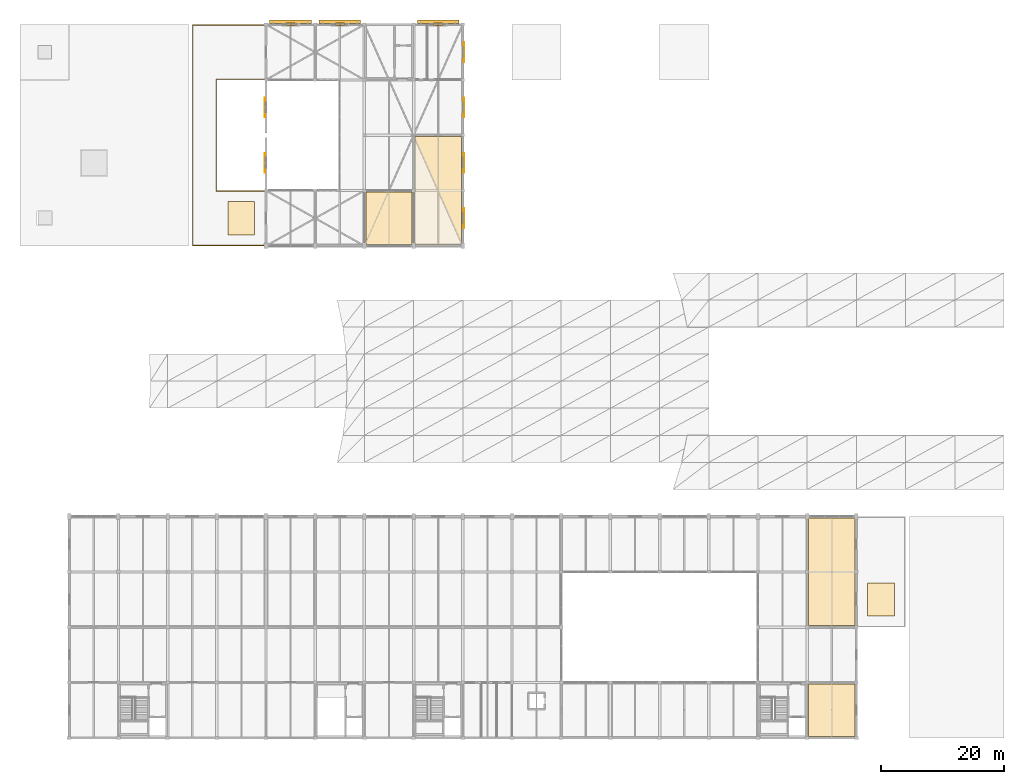
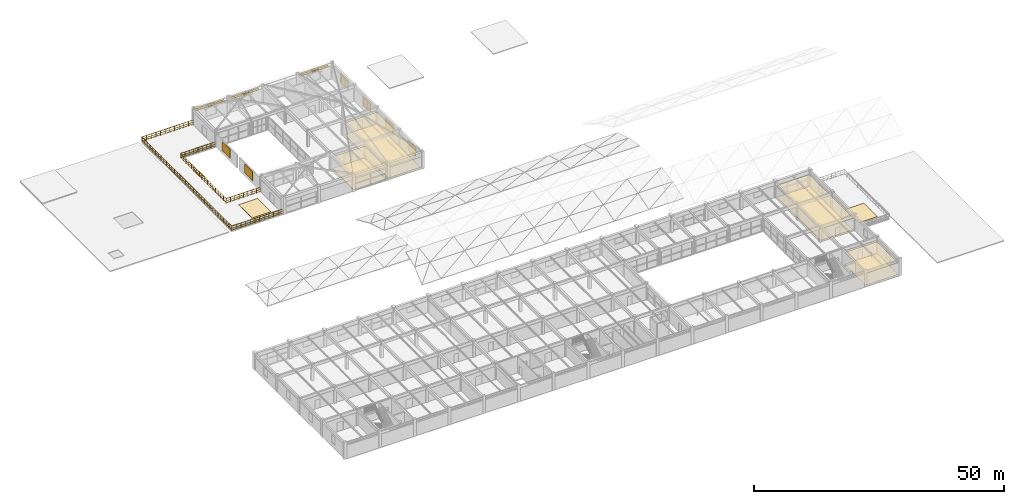
# One storey, part 62 of 63: 16 coverings, 9 shading devices, 2 railings.
"""IFC4 building model written with IfcOpenShell, lengths in metres."""

from ifc_helpers import new_model, si_unit, direction, frame, origin, origin_2d, place, context, subcontext, project, spatial, polyline, rectangle, circle, outline, extrude, material, layer, layer_set, type_object, element, save


model = new_model("IFC4")

# Units and contexts
model_context = context("Model", 3, precision=1e-05, world=origin(), true_north=direction((0.0, 1.0)))
body_context = subcontext(model_context, "Body", "Model", "MODEL_VIEW")
ifc_project = project(units=[si_unit("LENGTHUNIT", "METRE"), si_unit("AREAUNIT", "SQUARE_METRE"), si_unit("VOLUMEUNIT", "CUBIC_METRE"), si_unit("PLANEANGLEUNIT", "RADIAN"), si_unit("MASSUNIT", "GRAM", prefix="KILO")], contexts=[model_context])

# Site, building, storey
site_placement = place(None, origin())
site = spatial("IfcSite", under=ifc_project, at=site_placement, CompositionType="ELEMENT")
building_placement = place(site_placement, origin())
building = spatial("IfcBuilding", under=site, at=building_placement, Name="Varnabhumi Central Station", CompositionType="ELEMENT")
storey_placement = place(building_placement, frame((0.0, 0.0, 20.39990234375)))
storey = spatial("IfcBuildingStorey", under=building, at=storey_placement, Name="L04", CompositionType="ELEMENT", Elevation=20.39990234375)

# Coverings
ifc_material_1 = material(Name="Mineral-fibre acoustic tile")
ifc_layer_1 = layer(ifc_material_1, 0.02490234375, Name="Mineral-fibre acoustic tile")
ifc_layer_set_1 = layer_set([ifc_layer_1], Name="Mineral-fibre acoustic tile")
covering_type_1 = type_object("IfcCoveringType", Name="COV-CEIL-ACOUSTIC", PredefinedType="CEILING", material=ifc_layer_set_1)
covering_1_placement = place(storey_placement, frame((0.0, 0.0, 2.8701171875)))
element("IfcCovering", 1, at=covering_1_placement, inside=storey, type_object=covering_type_1, Name="Garden Tea Kiosk and Conservatory Acoustic Ceiling", PredefinedType="CEILING", context=body_context, shape_type="SweptSolid", body=[
    extrude(outline(polyline([(80.25, 80.25), (87.75, 80.25), (87.75, 88.75), (80.25, 88.75), (80.25, 80.25)])), origin(), (0.0, 0.0, 1.0), 0.02490234375),
])
covering_2_placement = place(storey_placement, frame((0.0, 0.0, 2.8701171875)))
element("IfcCovering", 2, at=covering_2_placement, inside=storey, type_object=covering_type_1, Name="Landscape Maintenance Store Acoustic Ceiling", PredefinedType="CEILING", context=body_context, shape_type="SweptSolid", body=[
    extrude(outline(polyline([(88.25, 80.25), (95.75, 80.25), (95.75, 97.75), (88.25, 97.75), (88.25, 80.25)])), origin(), (0.0, 0.0, 1.0), 0.02490234375),
])
covering_3_placement = place(storey_placement, frame((0.0, 0.0, 2.8701171875)))
element("IfcCovering", 3, at=covering_3_placement, inside=storey, type_object=covering_type_1, Name="Fibre Telecom and Data Logger Room Acoustic Ceiling", PredefinedType="CEILING", context=body_context, shape_type="SweptSolid", body=[
    extrude(outline(polyline([(152.25, 18.25), (159.75, 18.25), (159.75, 35.75), (152.25, 35.75), (152.25, 18.25)])), origin(), (0.0, 0.0, 1.0), 0.02490234375),
])
covering_4_placement = place(storey_placement, frame((0.0, 0.0, 2.8701171875)))
element("IfcCovering", 4, at=covering_4_placement, inside=storey, type_object=covering_type_1, Name="Signalling Calibration Workshop Acoustic Ceiling", PredefinedType="CEILING", context=body_context, shape_type="SweptSolid", body=[
    extrude(outline(polyline([(152.25, 0.25), (159.75, 0.25), (159.75, 8.75), (152.25, 8.75), (152.25, 0.25)])), origin(), (0.0, 0.0, 1.0), 0.02490234375),
])
ifc_material_2 = material(Name="Vitrified granite stone flooring", Category="masonry")
ifc_layer_2 = layer(ifc_material_2, 0.030029296875, Name="Vitrified granite stone flooring", Category="masonry")
ifc_layer_set_2 = layer_set([ifc_layer_2], Name="Vitrified granite stone flooring")
covering_type_2 = type_object("IfcCoveringType", Name="COV-FLOR-GRANITE", PredefinedType="FLOORING", material=ifc_layer_set_2)
covering_5_placement = place(storey_placement, origin())
element("IfcCovering", 5, at=covering_5_placement, inside=storey, type_object=covering_type_2, Name="Garden Tea Kiosk and Conservatory Granite Flooring", PredefinedType="FLOORING", context=body_context, shape_type="SweptSolid", body=[
    extrude(outline(polyline([(80.25, 80.25), (87.75, 80.25), (87.75, 88.75), (80.25, 88.75), (80.25, 80.25)])), origin(), (0.0, 0.0, 1.0), 0.030029296875),
])
covering_6_placement = place(storey_placement, origin())
element("IfcCovering", 6, at=covering_6_placement, inside=storey, type_object=covering_type_2, Name="Landscape Maintenance Store Granite Flooring", PredefinedType="FLOORING", context=body_context, shape_type="SweptSolid", body=[
    extrude(outline(polyline([(88.25, 80.25), (95.75, 80.25), (95.75, 97.75), (88.25, 97.75), (88.25, 80.25)])), origin(), (0.0, 0.0, 1.0), 0.030029296875),
])
covering_7_placement = place(storey_placement, origin())
element("IfcCovering", 7, at=covering_7_placement, inside=storey, type_object=covering_type_2, Name="Fibre Telecom and Data Logger Room Granite Flooring", PredefinedType="FLOORING", context=body_context, shape_type="SweptSolid", body=[
    extrude(outline(polyline([(152.25, 18.25), (159.75, 18.25), (159.75, 35.75), (152.25, 35.75), (152.25, 18.25)])), origin(), (0.0, 0.0, 1.0), 0.030029296875),
])
covering_8_placement = place(storey_placement, origin())
element("IfcCovering", 8, at=covering_8_placement, inside=storey, type_object=covering_type_2, Name="Signalling Calibration Workshop Granite Flooring", PredefinedType="FLOORING", context=body_context, shape_type="SweptSolid", body=[
    extrude(outline(polyline([(152.25, 0.25), (159.75, 0.25), (159.75, 8.75), (152.25, 8.75), (152.25, 0.25)])), origin(), (0.0, 0.0, 1.0), 0.030029296875),
])
ifc_material_3 = material(Name="Modified bitumen waterproofing membrane")
ifc_layer_3 = layer(ifc_material_3, 0.034912109375, Name="Modified bitumen waterproofing membrane")
ifc_layer_set_3 = layer_set([ifc_layer_3], Name="Modified bitumen waterproofing membrane")
covering_type_3 = type_object("IfcCoveringType", Name="COV-ROOF-MEMBRANE", PredefinedType="ROOFING", material=ifc_layer_set_3)
covering_9_placement = place(storey_placement, origin())
element("IfcCovering", 9, at=covering_9_placement, inside=storey, type_object=covering_type_3, Name="Azotea Waterproofing Paver Layer 4", PredefinedType="ROOFING", context=body_context, shape_type="SweptSolid", body=[
    extrude(outline(polyline([(57.800048828125, 81.800048828125), (62.139892578125, 81.800048828125), (62.139892578125, 87.199951171875), (57.800048828125, 87.199951171875), (57.800048828125, 81.800048828125)])), origin(), (0.0, 0.0, 1.0), 0.03515625),
])
covering_10_placement = place(storey_placement, origin())
element("IfcCovering", 10, at=covering_10_placement, inside=storey, type_object=covering_type_3, Name="Azotea Waterproofing Paver Layer 5", PredefinedType="ROOFING", context=body_context, shape_type="SweptSolid", body=[
    extrude(outline(polyline([(161.800048828125, 19.800048828125), (166.199951171875, 19.800048828125), (166.199951171875, 25.199951171875), (161.800048828125, 25.199951171875), (161.800048828125, 19.800048828125)])), origin(), (0.0, 0.0, 1.0), 0.03515625),
])
ifc_material_4 = material(Name="Terracotta clay Mission barrel tile", Category="masonry")
ifc_layer_4 = layer(ifc_material_4, 0.02001953125, Name="Terracotta clay Mission barrel tile", Category="masonry")
ifc_layer_set_4 = layer_set([ifc_layer_4], Name="Terracotta clay Mission barrel tile")
covering_type_4 = type_object("IfcCoveringType", Name="COV-WALL-FAIENCE", PredefinedType="CLADDING", material=ifc_layer_set_4)
for number, where, z_axis, x_axis, name in (
    (11, (67.66259765625, 116.0, 3.213134765625), (0.0, 0.0, 1.0), (1.0, 0.0, 0.0), "North Window Arch L04-1 Stone Voussoir 3"),
    (12, (68.33740234375, 116.0, 3.213134765625), (0.0, 0.0, 1.0), (1.0, 0.0, 0.0), "North Window Arch L04-1 Stone Voussoir 4"),
    (13, (75.66259765625, 116.0, 3.213134765625), (0.0, 0.0, 1.0), (1.0, 0.0, 0.0), "North Window Arch L04-2 Stone Voussoir 3"),
    (14, (76.33740234375, 116.0, 3.213134765625), (0.0, 0.0, 1.0), (1.0, 0.0, 0.0), "North Window Arch L04-2 Stone Voussoir 4"),
    (15, (91.66259765625, 116.0, 3.213134765625), (0.0, 0.0, 1.0), (1.0, 0.0, 0.0), "North Window Arch L04-4 Stone Voussoir 3"),
    (16, (92.33740234375, 116.0, 3.213134765625), (0.0, 0.0, 1.0), (1.0, 0.0, 0.0), "North Window Arch L04-4 Stone Voussoir 4"),
):
    element("IfcCovering", number, at=place(storey_placement, frame(where, z_axis=z_axis, x_axis=x_axis)), inside=storey, type_object=covering_type_4, Name=name, PredefinedType="CLADDING", context=body_context, shape_type="SweptSolid", body=[
        extrude(rectangle(XDim=0.794921875, YDim=0.47998046875, at=origin_2d()), origin(), (0.0, 0.0, 1.0), 0.3798828125),
    ])

# Railings
ifc_material_5 = material(Name="Stainless steel Grade 316", Category="steel")
railing_type = type_object("IfcRailingType", Name="RAIL-BALUST-1150", PredefinedType="BALUSTRADE", material=ifc_material_5)
railing_1_placement = place(storey_placement, frame((63.889892578125, 115.919921875, 0.0)))
element("IfcRailing", 17, at=railing_1_placement, inside=storey, type_object=railing_type, Name="Azotea Perimeter Balustrade L04-4", PredefinedType="BALUSTRADE", context=body_context, shape_type="SweptSolid", body=[
    extrude(circle(Radius=0.02392578125, at=origin_2d()), frame((0.0, 0.0, 1.1259765625), z_axis=(-1.0, 0.0, 0.0), x_axis=(0.0, -1.0, 0.0)), (0.0, 0.0, 1.0), 11.809814453125),
    extrude(circle(Radius=0.01416015625, at=origin_2d()), frame((0.0, 0.0, 0.597900390625), z_axis=(-1.0, 0.0, 0.0), x_axis=(0.0, -1.0, 0.0)), (0.0, 0.0, 1.0), 11.809814453125),
    extrude(circle(Radius=0.01416015625, at=origin_2d()), frame((0.0, 0.0, 0.18408203125), z_axis=(-1.0, 0.0, 0.0), x_axis=(0.0, -1.0, 0.0)), (0.0, 0.0, 1.0), 11.809814453125),
    extrude(circle(Radius=0.02392578125, at=origin_2d()), frame((-11.809814453125, 0.0, 1.1259765625), z_axis=(0.0, -1.0, 0.0), x_axis=(1.0, 0.0, 0.0)), (0.0, 0.0, 1.0), 35.83984375),
    extrude(circle(Radius=0.01416015625, at=origin_2d()), frame((-11.809814453125, 0.0, 0.597900390625), z_axis=(0.0, -1.0, 0.0), x_axis=(1.0, 0.0, 0.0)), (0.0, 0.0, 1.0), 35.83984375),
    extrude(circle(Radius=0.01416015625, at=origin_2d()), frame((-11.809814453125, 0.0, 0.18408203125), z_axis=(0.0, -1.0, 0.0), x_axis=(1.0, 0.0, 0.0)), (0.0, 0.0, 1.0), 35.83984375),
    extrude(circle(Radius=0.02392578125, at=origin_2d()), frame((-11.809814453125, -35.83984375, 1.1259765625), z_axis=(1.0, 0.0, 0.0), x_axis=(0.0, 1.0, 0.0)), (0.0, 0.0, 1.0), 11.809814453125),
    extrude(circle(Radius=0.01416015625, at=origin_2d()), frame((-11.809814453125, -35.83984375, 0.597900390625), z_axis=(1.0, 0.0, 0.0), x_axis=(0.0, 1.0, 0.0)), (0.0, 0.0, 1.0), 11.809814453125),
    extrude(circle(Radius=0.01416015625, at=origin_2d()), frame((-11.809814453125, -35.83984375, 0.18408203125), z_axis=(1.0, 0.0, 0.0), x_axis=(0.0, 1.0, 0.0)), (0.0, 0.0, 1.0), 11.809814453125),
    extrude(circle(Radius=0.02099609375, at=origin_2d()), origin(), (0.0, 0.0, 1.0), 1.101806640625),
    extrude(circle(Radius=0.02099609375, at=origin_2d()), frame((-1.07373046875, 0.0, 0.0)), (0.0, 0.0, 1.0), 1.101806640625),
    extrude(circle(Radius=0.02099609375, at=origin_2d()), frame((-2.147216796875, 0.0, 0.0)), (0.0, 0.0, 1.0), 1.101806640625),
    extrude(circle(Radius=0.02099609375, at=origin_2d()), frame((-3.220947265625, 0.0, 0.0)), (0.0, 0.0, 1.0), 1.101806640625),
    extrude(circle(Radius=0.02099609375, at=origin_2d()), frame((-4.29443359375, 0.0, 0.0)), (0.0, 0.0, 1.0), 1.101806640625),
    extrude(circle(Radius=0.02099609375, at=origin_2d()), frame((-5.3681640625, 0.0, 0.0)), (0.0, 0.0, 1.0), 1.101806640625),
    extrude(circle(Radius=0.02099609375, at=origin_2d()), frame((-6.441650390625, 0.0, 0.0)), (0.0, 0.0, 1.0), 1.101806640625),
    extrude(circle(Radius=0.02099609375, at=origin_2d()), frame((-7.515380859375, 0.0, 0.0)), (0.0, 0.0, 1.0), 1.101806640625),
    extrude(circle(Radius=0.02099609375, at=origin_2d()), frame((-8.5888671875, 0.0, 0.0)), (0.0, 0.0, 1.0), 1.101806640625),
    extrude(circle(Radius=0.02099609375, at=origin_2d()), frame((-9.66259765625, 0.0, 0.0)), (0.0, 0.0, 1.0), 1.101806640625),
    extrude(circle(Radius=0.02099609375, at=origin_2d()), frame((-10.736083984375, 0.0, 0.0)), (0.0, 0.0, 1.0), 1.101806640625),
    extrude(circle(Radius=0.02099609375, at=origin_2d()), frame((-11.809814453125, 0.0, 0.0)), (0.0, 0.0, 1.0), 1.101806640625),
    extrude(circle(Radius=0.02099609375, at=origin_2d()), frame((-11.809814453125, -1.0859375, 0.0)), (0.0, 0.0, 1.0), 1.101806640625),
    extrude(circle(Radius=0.02099609375, at=origin_2d()), frame((-11.809814453125, -2.172119140625, 0.0)), (0.0, 0.0, 1.0), 1.101806640625),
    extrude(circle(Radius=0.02099609375, at=origin_2d()), frame((-11.809814453125, -3.258056640625, 0.0)), (0.0, 0.0, 1.0), 1.101806640625),
    extrude(circle(Radius=0.02099609375, at=origin_2d()), frame((-11.809814453125, -4.34423828125, 0.0)), (0.0, 0.0, 1.0), 1.101806640625),
    extrude(circle(Radius=0.02099609375, at=origin_2d()), frame((-11.809814453125, -5.43017578125, 0.0)), (0.0, 0.0, 1.0), 1.101806640625),
    extrude(circle(Radius=0.02099609375, at=origin_2d()), frame((-11.809814453125, -6.516357421875, 0.0)), (0.0, 0.0, 1.0), 1.101806640625),
    extrude(circle(Radius=0.02099609375, at=origin_2d()), frame((-11.809814453125, -7.602294921875, 0.0)), (0.0, 0.0, 1.0), 1.101806640625),
    extrude(circle(Radius=0.02099609375, at=origin_2d()), frame((-11.809814453125, -8.6884765625, 0.0)), (0.0, 0.0, 1.0), 1.101806640625),
    extrude(circle(Radius=0.02099609375, at=origin_2d()), frame((-11.809814453125, -9.7744140625, 0.0)), (0.0, 0.0, 1.0), 1.101806640625),
    extrude(circle(Radius=0.02099609375, at=origin_2d()), frame((-11.809814453125, -10.860595703125, 0.0)), (0.0, 0.0, 1.0), 1.101806640625),
    extrude(circle(Radius=0.02099609375, at=origin_2d()), frame((-11.809814453125, -11.946533203125, 0.0)), (0.0, 0.0, 1.0), 1.101806640625),
    extrude(circle(Radius=0.02099609375, at=origin_2d()), frame((-11.809814453125, -13.03271484375, 0.0)), (0.0, 0.0, 1.0), 1.101806640625),
    extrude(circle(Radius=0.02099609375, at=origin_2d()), frame((-11.809814453125, -14.11865234375, 0.0)), (0.0, 0.0, 1.0), 1.101806640625),
    extrude(circle(Radius=0.02099609375, at=origin_2d()), frame((-11.809814453125, -15.204833984375, 0.0)), (0.0, 0.0, 1.0), 1.101806640625),
    extrude(circle(Radius=0.02099609375, at=origin_2d()), frame((-11.809814453125, -16.290771484375, 0.0)), (0.0, 0.0, 1.0), 1.101806640625),
    extrude(circle(Radius=0.02099609375, at=origin_2d()), frame((-11.809814453125, -17.376953125, 0.0)), (0.0, 0.0, 1.0), 1.101806640625),
    extrude(circle(Radius=0.02099609375, at=origin_2d()), frame((-11.809814453125, -18.462890625, 0.0)), (0.0, 0.0, 1.0), 1.101806640625),
    extrude(circle(Radius=0.02099609375, at=origin_2d()), frame((-11.809814453125, -19.549072265625, 0.0)), (0.0, 0.0, 1.0), 1.101806640625),
    extrude(circle(Radius=0.02099609375, at=origin_2d()), frame((-11.809814453125, -20.635009765625, 0.0)), (0.0, 0.0, 1.0), 1.101806640625),
    extrude(circle(Radius=0.02099609375, at=origin_2d()), frame((-11.809814453125, -21.72119140625, 0.0)), (0.0, 0.0, 1.0), 1.101806640625),
    extrude(circle(Radius=0.02099609375, at=origin_2d()), frame((-11.809814453125, -22.80712890625, 0.0)), (0.0, 0.0, 1.0), 1.101806640625),
    extrude(circle(Radius=0.02099609375, at=origin_2d()), frame((-11.809814453125, -23.893310546875, 0.0)), (0.0, 0.0, 1.0), 1.101806640625),
    extrude(circle(Radius=0.02099609375, at=origin_2d()), frame((-11.809814453125, -24.979248046875, 0.0)), (0.0, 0.0, 1.0), 1.101806640625),
    extrude(circle(Radius=0.02099609375, at=origin_2d()), frame((-11.809814453125, -26.0654296875, 0.0)), (0.0, 0.0, 1.0), 1.101806640625),
    extrude(circle(Radius=0.02099609375, at=origin_2d()), frame((-11.809814453125, -27.1513671875, 0.0)), (0.0, 0.0, 1.0), 1.101806640625),
    extrude(circle(Radius=0.02099609375, at=origin_2d()), frame((-11.809814453125, -28.237548828125, 0.0)), (0.0, 0.0, 1.0), 1.101806640625),
    extrude(circle(Radius=0.02099609375, at=origin_2d()), frame((-11.809814453125, -29.323486328125, 0.0)), (0.0, 0.0, 1.0), 1.101806640625),
    extrude(circle(Radius=0.02099609375, at=origin_2d()), frame((-11.809814453125, -30.40966796875, 0.0)), (0.0, 0.0, 1.0), 1.101806640625),
    extrude(circle(Radius=0.02099609375, at=origin_2d()), frame((-11.809814453125, -31.49560546875, 0.0)), (0.0, 0.0, 1.0), 1.101806640625),
    extrude(circle(Radius=0.02099609375, at=origin_2d()), frame((-11.809814453125, -32.581787109375, 0.0)), (0.0, 0.0, 1.0), 1.101806640625),
    extrude(circle(Radius=0.02099609375, at=origin_2d()), frame((-11.809814453125, -33.667724609375, 0.0)), (0.0, 0.0, 1.0), 1.101806640625),
    extrude(circle(Radius=0.02099609375, at=origin_2d()), frame((-11.809814453125, -34.75390625, 0.0)), (0.0, 0.0, 1.0), 1.101806640625),
    extrude(circle(Radius=0.02099609375, at=origin_2d()), frame((-11.809814453125, -35.83984375, 0.0)), (0.0, 0.0, 1.0), 1.101806640625),
    extrude(circle(Radius=0.02099609375, at=origin_2d()), frame((-10.736083984375, -35.83984375, 0.0)), (0.0, 0.0, 1.0), 1.101806640625),
    extrude(circle(Radius=0.02099609375, at=origin_2d()), frame((-9.66259765625, -35.83984375, 0.0)), (0.0, 0.0, 1.0), 1.101806640625),
    extrude(circle(Radius=0.02099609375, at=origin_2d()), frame((-8.5888671875, -35.83984375, 0.0)), (0.0, 0.0, 1.0), 1.101806640625),
    extrude(circle(Radius=0.02099609375, at=origin_2d()), frame((-7.515380859375, -35.83984375, 0.0)), (0.0, 0.0, 1.0), 1.101806640625),
    extrude(circle(Radius=0.02099609375, at=origin_2d()), frame((-6.441650390625, -35.83984375, 0.0)), (0.0, 0.0, 1.0), 1.101806640625),
    extrude(circle(Radius=0.02099609375, at=origin_2d()), frame((-5.3681640625, -35.83984375, 0.0)), (0.0, 0.0, 1.0), 1.101806640625),
    extrude(circle(Radius=0.02099609375, at=origin_2d()), frame((-4.29443359375, -35.83984375, 0.0)), (0.0, 0.0, 1.0), 1.101806640625),
    extrude(circle(Radius=0.02099609375, at=origin_2d()), frame((-3.220947265625, -35.83984375, 0.0)), (0.0, 0.0, 1.0), 1.101806640625),
    extrude(circle(Radius=0.02099609375, at=origin_2d()), frame((-2.147216796875, -35.83984375, 0.0)), (0.0, 0.0, 1.0), 1.101806640625),
    extrude(circle(Radius=0.02099609375, at=origin_2d()), frame((-1.07373046875, -35.83984375, 0.0)), (0.0, 0.0, 1.0), 1.101806640625),
    extrude(circle(Radius=0.02099609375, at=origin_2d()), frame((0.0, -35.83984375, 0.0)), (0.0, 0.0, 1.0), 1.101806640625),
])
railing_2_placement = place(storey_placement, frame((63.889892578125, 88.919921875, 0.0)))
element("IfcRailing", 18, at=railing_2_placement, inside=storey, type_object=railing_type, Name="L04 Roof Garden Patio Balustrade", PredefinedType="BALUSTRADE", context=body_context, shape_type="SweptSolid", body=[
    extrude(circle(Radius=0.02392578125, at=origin_2d()), frame((0.0, 0.0, 1.1259765625), z_axis=(-1.0, 0.0, 0.0), x_axis=(0.0, -1.0, 0.0)), (0.0, 0.0, 1.0), 7.969970703125),
    extrude(circle(Radius=0.01416015625, at=origin_2d()), frame((0.0, 0.0, 0.597900390625), z_axis=(-1.0, 0.0, 0.0), x_axis=(0.0, -1.0, 0.0)), (0.0, 0.0, 1.0), 7.969970703125),
    extrude(circle(Radius=0.01416015625, at=origin_2d()), frame((0.0, 0.0, 0.18408203125), z_axis=(-1.0, 0.0, 0.0), x_axis=(0.0, -1.0, 0.0)), (0.0, 0.0, 1.0), 7.969970703125),
    extrude(circle(Radius=0.02392578125, at=origin_2d()), frame((-7.969970703125, 0.0, 1.1259765625), z_axis=(0.0, 1.0, 0.0), x_axis=(-1.0, 0.0, 0.0)), (0.0, 0.0, 1.0), 18.16015625),
    extrude(circle(Radius=0.01416015625, at=origin_2d()), frame((-7.969970703125, 0.0, 0.597900390625), z_axis=(0.0, 1.0, 0.0), x_axis=(-1.0, 0.0, 0.0)), (0.0, 0.0, 1.0), 18.16015625),
    extrude(circle(Radius=0.01416015625, at=origin_2d()), frame((-7.969970703125, 0.0, 0.18408203125), z_axis=(0.0, 1.0, 0.0), x_axis=(-1.0, 0.0, 0.0)), (0.0, 0.0, 1.0), 18.16015625),
    extrude(circle(Radius=0.02392578125, at=origin_2d()), frame((-7.969970703125, 18.16015625, 1.1259765625), z_axis=(1.0, 0.0, 0.0), x_axis=(0.0, 1.0, 0.0)), (0.0, 0.0, 1.0), 7.969970703125),
    extrude(circle(Radius=0.01416015625, at=origin_2d()), frame((-7.969970703125, 18.16015625, 0.597900390625), z_axis=(1.0, 0.0, 0.0), x_axis=(0.0, 1.0, 0.0)), (0.0, 0.0, 1.0), 7.969970703125),
    extrude(circle(Radius=0.01416015625, at=origin_2d()), frame((-7.969970703125, 18.16015625, 0.18408203125), z_axis=(1.0, 0.0, 0.0), x_axis=(0.0, 1.0, 0.0)), (0.0, 0.0, 1.0), 7.969970703125),
    extrude(circle(Radius=0.02099609375, at=origin_2d()), origin(), (0.0, 0.0, 1.0), 1.101806640625),
    extrude(circle(Radius=0.02099609375, at=origin_2d()), frame((-0.996337890625, 0.0, 0.0)), (0.0, 0.0, 1.0), 1.101806640625),
    extrude(circle(Radius=0.02099609375, at=origin_2d()), frame((-1.992431640625, 0.0, 0.0)), (0.0, 0.0, 1.0), 1.101806640625),
    extrude(circle(Radius=0.02099609375, at=origin_2d()), frame((-2.98876953125, 0.0, 0.0)), (0.0, 0.0, 1.0), 1.101806640625),
    extrude(circle(Radius=0.02099609375, at=origin_2d()), frame((-3.98486328125, 0.0, 0.0)), (0.0, 0.0, 1.0), 1.101806640625),
    extrude(circle(Radius=0.02099609375, at=origin_2d()), frame((-4.981201171875, 0.0, 0.0)), (0.0, 0.0, 1.0), 1.101806640625),
    extrude(circle(Radius=0.02099609375, at=origin_2d()), frame((-5.9775390625, 0.0, 0.0)), (0.0, 0.0, 1.0), 1.101806640625),
    extrude(circle(Radius=0.02099609375, at=origin_2d()), frame((-6.9736328125, 0.0, 0.0)), (0.0, 0.0, 1.0), 1.101806640625),
    extrude(circle(Radius=0.02099609375, at=origin_2d()), frame((-7.969970703125, 0.0, 0.0)), (0.0, 0.0, 1.0), 1.101806640625),
    extrude(circle(Radius=0.02099609375, at=origin_2d()), frame((-7.969970703125, 1.068359375, 0.0)), (0.0, 0.0, 1.0), 1.101806640625),
    extrude(circle(Radius=0.02099609375, at=origin_2d()), frame((-7.969970703125, 2.136474609375, 0.0)), (0.0, 0.0, 1.0), 1.101806640625),
    extrude(circle(Radius=0.02099609375, at=origin_2d()), frame((-7.969970703125, 3.204833984375, 0.0)), (0.0, 0.0, 1.0), 1.101806640625),
    extrude(circle(Radius=0.02099609375, at=origin_2d()), frame((-7.969970703125, 4.27294921875, 0.0)), (0.0, 0.0, 1.0), 1.101806640625),
    extrude(circle(Radius=0.02099609375, at=origin_2d()), frame((-7.969970703125, 5.34130859375, 0.0)), (0.0, 0.0, 1.0), 1.101806640625),
    extrude(circle(Radius=0.02099609375, at=origin_2d()), frame((-7.969970703125, 6.409423828125, 0.0)), (0.0, 0.0, 1.0), 1.101806640625),
    extrude(circle(Radius=0.02099609375, at=origin_2d()), frame((-7.969970703125, 7.477783203125, 0.0)), (0.0, 0.0, 1.0), 1.101806640625),
    extrude(circle(Radius=0.02099609375, at=origin_2d()), frame((-7.969970703125, 8.5458984375, 0.0)), (0.0, 0.0, 1.0), 1.101806640625),
    extrude(circle(Radius=0.02099609375, at=origin_2d()), frame((-7.969970703125, 9.6142578125, 0.0)), (0.0, 0.0, 1.0), 1.101806640625),
    extrude(circle(Radius=0.02099609375, at=origin_2d()), frame((-7.969970703125, 10.682373046875, 0.0)), (0.0, 0.0, 1.0), 1.101806640625),
    extrude(circle(Radius=0.02099609375, at=origin_2d()), frame((-7.969970703125, 11.750732421875, 0.0)), (0.0, 0.0, 1.0), 1.101806640625),
    extrude(circle(Radius=0.02099609375, at=origin_2d()), frame((-7.969970703125, 12.81884765625, 0.0)), (0.0, 0.0, 1.0), 1.101806640625),
    extrude(circle(Radius=0.02099609375, at=origin_2d()), frame((-7.969970703125, 13.88720703125, 0.0)), (0.0, 0.0, 1.0), 1.101806640625),
    extrude(circle(Radius=0.02099609375, at=origin_2d()), frame((-7.969970703125, 14.955322265625, 0.0)), (0.0, 0.0, 1.0), 1.101806640625),
    extrude(circle(Radius=0.02099609375, at=origin_2d()), frame((-7.969970703125, 16.023681640625, 0.0)), (0.0, 0.0, 1.0), 1.101806640625),
    extrude(circle(Radius=0.02099609375, at=origin_2d()), frame((-7.969970703125, 17.091796875, 0.0)), (0.0, 0.0, 1.0), 1.101806640625),
    extrude(circle(Radius=0.02099609375, at=origin_2d()), frame((-7.969970703125, 18.16015625, 0.0)), (0.0, 0.0, 1.0), 1.101806640625),
    extrude(circle(Radius=0.02099609375, at=origin_2d()), frame((-6.9736328125, 18.16015625, 0.0)), (0.0, 0.0, 1.0), 1.101806640625),
    extrude(circle(Radius=0.02099609375, at=origin_2d()), frame((-5.9775390625, 18.16015625, 0.0)), (0.0, 0.0, 1.0), 1.101806640625),
    extrude(circle(Radius=0.02099609375, at=origin_2d()), frame((-4.981201171875, 18.16015625, 0.0)), (0.0, 0.0, 1.0), 1.101806640625),
    extrude(circle(Radius=0.02099609375, at=origin_2d()), frame((-3.98486328125, 18.16015625, 0.0)), (0.0, 0.0, 1.0), 1.101806640625),
    extrude(circle(Radius=0.02099609375, at=origin_2d()), frame((-2.98876953125, 18.16015625, 0.0)), (0.0, 0.0, 1.0), 1.101806640625),
    extrude(circle(Radius=0.02099609375, at=origin_2d()), frame((-1.992431640625, 18.16015625, 0.0)), (0.0, 0.0, 1.0), 1.101806640625),
    extrude(circle(Radius=0.02099609375, at=origin_2d()), frame((-0.996337890625, 18.16015625, 0.0)), (0.0, 0.0, 1.0), 1.101806640625),
    extrude(circle(Radius=0.02099609375, at=origin_2d()), frame((0.0, 18.16015625, 0.0)), (0.0, 0.0, 1.0), 1.101806640625),
])

# Shading devices
ifc_layer_5 = layer(ifc_material_4, 0.080078125, Name="Terracotta clay Mission barrel tile", Category="masonry")
ifc_layer_set_5 = layer_set([ifc_layer_5], Name="Terracotta clay Mission barrel tile")
shading_device_type_1 = type_object("IfcShadingDeviceType", Name="SHD-CELOSIA-JALI", PredefinedType="JALOUSIE", material=ifc_layer_set_5)
for number, where, z_axis, x_axis, name in (
    (19, (63.81005859375, 93.5, 0.85009765625), (0.0, 0.0, 1.0), (1.0, 0.0, 0.0), "Terracotta Celosia Screen N-L04-E2"),
    (20, (63.81005859375, 102.5, 0.85009765625), (0.0, 0.0, 1.0), (1.0, 0.0, 0.0), "Terracotta Celosia Screen N-L04-E3"),
    (21, (96.18994140625, 84.5, 0.85009765625), (0.0, 0.0, 1.0), (1.0, 0.0, 0.0), "Terracotta Celosia Screen N-L04-W1"),
    (22, (96.18994140625, 93.5, 0.85009765625), (0.0, 0.0, 1.0), (1.0, 0.0, 0.0), "Terracotta Celosia Screen N-L04-W2"),
    (23, (96.18994140625, 102.5, 0.85009765625), (0.0, 0.0, 1.0), (1.0, 0.0, 0.0), "Terracotta Celosia Screen N-L04-W3"),
    (24, (96.18994140625, 111.5, 0.85009765625), (0.0, 0.0, 1.0), (1.0, 0.0, 0.0), "Terracotta Celosia Screen N-L04-W4"),
):
    element("IfcShadingDevice", number, at=place(storey_placement, frame(where, z_axis=z_axis, x_axis=x_axis)), inside=storey, type_object=shading_device_type_1, Name=name, PredefinedType="JALOUSIE", context=body_context, shape_type="SweptSolid", body=[
        extrude(rectangle(XDim=0.080078125, YDim=3.199951171875, at=origin_2d()), origin(), (0.0, 0.0, 1.0), 2.199951171875),
    ])
ifc_material_6 = material(Name="Precast concrete M45", Category="concrete")
ifc_layer_6 = layer(ifc_material_6, 0.10009765625, Name="Precast concrete M45", Category="concrete")
ifc_layer_set_6 = layer_set([ifc_layer_6], Name="Precast concrete M45")
shading_device_type_2 = type_object("IfcShadingDeviceType", Name="SHD-CHAJJA-600", PredefinedType="AWNING", material=ifc_layer_set_6)
for number, where, z_axis, x_axis, name in (
    (25, (68.0, 116.429931640625, 2.920166015625), (0.0, 0.0, 1.0), (1.0, 0.0, 0.0), "Chajja Overhang N-L04-1"),
    (26, (76.0, 116.429931640625, 2.920166015625), (0.0, 0.0, 1.0), (1.0, 0.0, 0.0), "Chajja Overhang N-L04-2"),
    (27, (92.0, 116.429931640625, 2.920166015625), (0.0, 0.0, 1.0), (1.0, 0.0, 0.0), "Chajja Overhang N-L04-4"),
):
    element("IfcShadingDevice", number, at=place(storey_placement, frame(where, z_axis=z_axis, x_axis=x_axis)), inside=storey, type_object=shading_device_type_2, Name=name, PredefinedType="AWNING", context=body_context, shape_type="SweptSolid", body=[
        extrude(rectangle(XDim=6.800048828125, YDim=0.60009765625, at=origin_2d()), origin(), (0.0, 0.0, 1.0), 0.10009765625),
    ])

save(model, "model.ifc")
